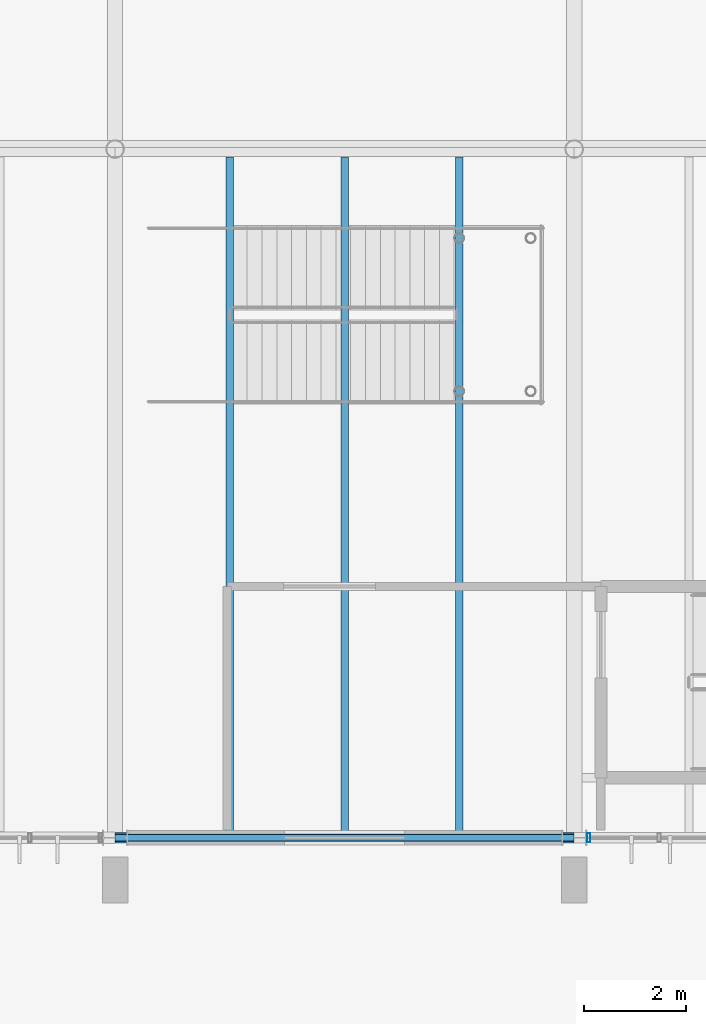
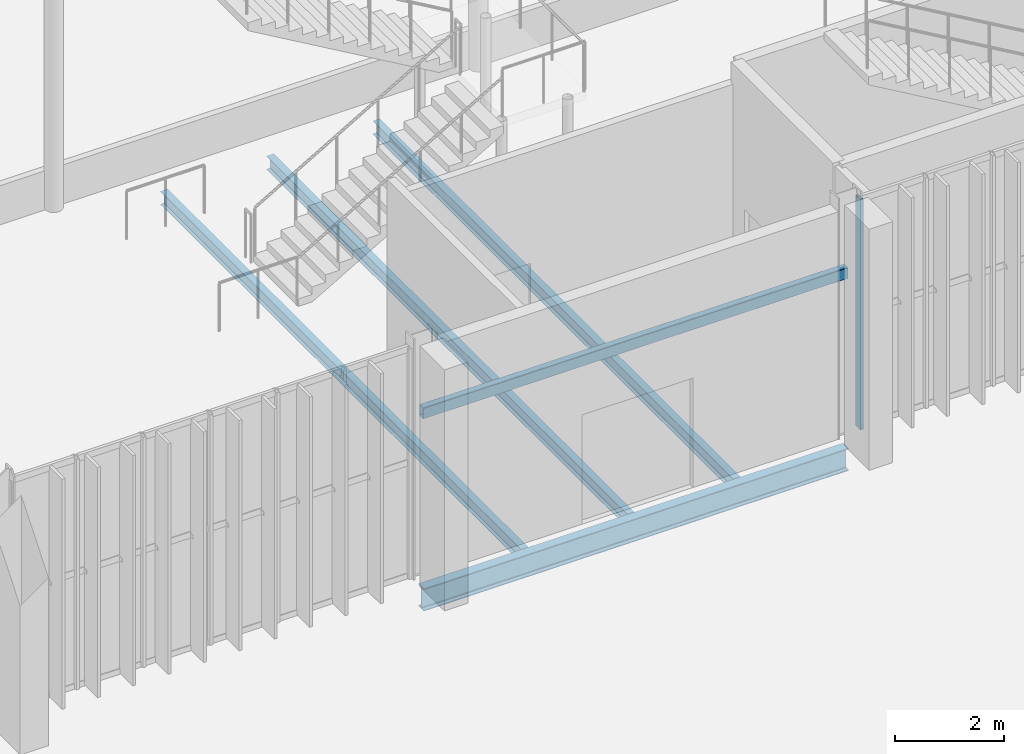
# One storey, part 38 of 158: 5 beams, 1 member, 1 element without a shape of its own.
"""IFC4 building model written with IfcOpenShell, lengths in metres."""

from ifc_helpers import new_model, si_unit, derived_unit, direction, frame, origin, origin_2d, place, context, subcontext, project, spatial, hollow_rectangle, i_section, extrude, material, material_profile, profile_set, type_object, element, aggregate, save


model = new_model("IFC4")

# Units and contexts
model_context = context("Model", 3, precision=1e-05, world=origin(), true_north=direction((0.0, 1.0)))
body_context = subcontext(model_context, "Body", "Model", "MODEL_VIEW")
ifc_project = project(units=[si_unit("LENGTHUNIT", "METRE"), si_unit("AREAUNIT", "SQUARE_METRE"), si_unit("VOLUMEUNIT", "CUBIC_METRE"), si_unit("PLANEANGLEUNIT", "RADIAN"), si_unit("MASSUNIT", "GRAM", prefix="KILO"), si_unit("THERMODYNAMICTEMPERATUREUNIT", "KELVIN"), si_unit("TIMEUNIT", "SECOND"), derived_unit("THERMALTRANSMITTANCEUNIT", [(si_unit("MASSUNIT", "GRAM", prefix="KILO"), 1), (si_unit("THERMODYNAMICTEMPERATUREUNIT", "KELVIN"), -1), (si_unit("TIMEUNIT", "SECOND"), -3)])], contexts=[model_context])

# Site, building, storey
site_placement = place(None, origin())
site = spatial("IfcSite", under=ifc_project, at=site_placement, CompositionType="ELEMENT")
building_placement = place(site_placement, origin())
building = spatial("IfcBuilding", under=site, at=building_placement, Name="Cambertide Market Hall", CompositionType="ELEMENT")
storey_placement = place(building_placement, origin())
storey = spatial("IfcBuildingStorey", under=building, at=storey_placement, Name="L01", CompositionType="ELEMENT", Elevation=0.0)

# Curtain wall, member
ifc_material_1 = material(Name="Marine Anodized Aluminium 6063-T6 AA25", Category="aluminium")
curtain_wall_type = type_object("IfcCurtainWallType", Name="Lantern Straight Lower Curtain Wall", PredefinedType="USERDEFINED", material=ifc_material_1)
curtain_wall_placement = place(storey_placement, origin())
curtain_wall = element("IfcCurtainWall", 1, at=curtain_wall_placement, inside=storey, type_object=curtain_wall_type, Name="Level 1 Curtain Wall CW-V1S-L01-3", ObjectType="UNITIZED CURTAIN WALL", PredefinedType="USERDEFINED")
ifc_material_2 = material(Name="Champagne Marine Anodized Aluminium 6063-T6 AA25", Category="aluminium")
ifc_material_profile_1 = material_profile(ifc_material_2, hollow_rectangle(XDim=0.06494140625, YDim=0.179931640625, WallThickness=0.00390625, at=origin_2d()), Name="ALU MULLION 65x180")
ifc_profile_set_1 = profile_set([ifc_material_profile_1], Name="Champagne Marine Anodized Aluminium 6063-T6 AA25")
member_type = type_object("IfcMemberType", Name="Curtain Wall Mullion ALU MULLION 65x180", PredefinedType="MULLION", material=ifc_profile_set_1)
member_placement = place(storey_placement, frame((60.284912109375, 52.0, 0.0), z_axis=(0.0, 0.0, 1.0), x_axis=(-1.0, 0.0, 0.0)))
member = element("IfcMember", 2, at=member_placement, type_object=member_type, Name="CW-V1S-L01-3 Mullion 7", PredefinedType="MULLION", context=body_context, shape_type="SweptSolid", body=[
    extrude(hollow_rectangle(XDim=0.06494140625, YDim=0.179931640625, WallThickness=0.00390625, at=origin_2d()), origin(), (0.0, 0.0, 1.0), 5.159912109375),
])
aggregate(curtain_wall, [member])

# Beams
ifc_material_3 = material(Name="Steel S275", Category="steel")
ifc_material_profile_2 = material_profile(ifc_material_3, hollow_rectangle(XDim=0.14990234375, YDim=0.25, WallThickness=0.008056640625, InnerFilletRadius=0.008056640625, OuterFilletRadius=0.01611328125, at=origin_2d()), Name="RHS 250x150x8")
ifc_profile_set_2 = profile_set([ifc_material_profile_2], Name="Steel S275")
beam_type_1 = type_object("IfcBeamType", Name="Exterior Structural Lintel RHS 250x150x8", PredefinedType="LINTEL", material=ifc_profile_set_2)
beam_1_placement = place(storey_placement, frame((51.0, 52.0, 3.60009765625), z_axis=(1.0, 0.0, 0.0), x_axis=(0.0, 1.0, 0.0)))
element("IfcBeam", 3, at=beam_1_placement, inside=storey, type_object=beam_type_1, Name="Level 1 South Portal Lintel 2", PredefinedType="LINTEL", context=body_context, shape_type="SweptSolid", body=[
    extrude(hollow_rectangle(XDim=0.14990234375, YDim=0.25, WallThickness=0.008056640625, InnerFilletRadius=0.008056640625, OuterFilletRadius=0.01611328125, at=origin_2d()), origin(), (0.0, 0.0, 1.0), 9.0),
])
ifc_material_4 = material(Name="Steel S355", Category="steel")
ifc_material_profile_3 = material_profile(ifc_material_4, i_section(OverallWidth=0.199951171875, OverallDepth=0.5, WebThickness=0.01025390625, FlangeThickness=0.01611328125, FilletRadius=0.02099609375, at=origin_2d()), Name="IPE 500")
ifc_profile_set_3 = profile_set([ifc_material_profile_3], Name="Steel S355")
beam_type_2 = type_object("IfcBeamType", Name="Steel Girder IPE 500", PredefinedType="BEAM", material=ifc_profile_set_3)
beam_2_placement = place(storey_placement, frame((51.0, 52.0, -0.56005859375), z_axis=(1.0, 0.0, 0.0), x_axis=(0.0, 1.0, 0.0)))
element("IfcBeam", 4, at=beam_2_placement, inside=storey, type_object=beam_type_2, Name="Level 1 Beam BM-V1S-L01-2", PredefinedType="BEAM", context=body_context, shape_type="SweptSolid", body=[
    extrude(i_section(OverallWidth=0.199951171875, OverallDepth=0.5, WebThickness=0.01025390625, FlangeThickness=0.01611328125, FilletRadius=0.02099609375, at=origin_2d()), origin(), (0.0, 0.0, 1.0), 9.0),
])
ifc_material_5 = material(Name="Steel S275", Category="steel")
ifc_material_profile_4 = material_profile(ifc_material_5, i_section(OverallWidth=0.14990234375, OverallDepth=0.300048828125, WebThickness=0.007080078125, FlangeThickness=0.0107421875, FilletRadius=0.014892578125, at=origin_2d()), Name="IPE 300")
ifc_profile_set_4 = profile_set([ifc_material_profile_4], Name="Steel S275")
beam_type_3 = type_object("IfcBeamType", Name="Steel Secondary Joist IPE 300", PredefinedType="JOIST", material=ifc_profile_set_4)
for number, where, z_axis, x_axis, name in (
    (5, (53.25, 52.10791015625, -0.4599609375), (0.0, 1.0, 0.0), (-1.0, 0.0, 0.0), "Level 1 Joist JS-V1S-L01-2-1"),
    (6, (55.5, 52.10791015625, -0.4599609375), (0.0, 1.0, 0.0), (-1.0, 0.0, 0.0), "Level 1 Joist JS-V1S-L01-2-2"),
    (7, (57.75, 52.10791015625, -0.4599609375), (0.0, 1.0, 0.0), (-1.0, 0.0, 0.0), "Level 1 Joist JS-V1S-L01-2-3"),
):
    element("IfcBeam", number, at=place(storey_placement, frame(where, z_axis=z_axis, x_axis=x_axis)), inside=storey, type_object=beam_type_3, Name=name, PredefinedType="JOIST", context=body_context, shape_type="SweptSolid", body=[
        extrude(i_section(OverallWidth=0.14990234375, OverallDepth=0.300048828125, WebThickness=0.007080078125, FlangeThickness=0.0107421875, FilletRadius=0.014892578125, at=origin_2d()), origin(), (0.0, 0.0, 1.0), 13.234130859375),
    ])

save(model, "model.ifc")
